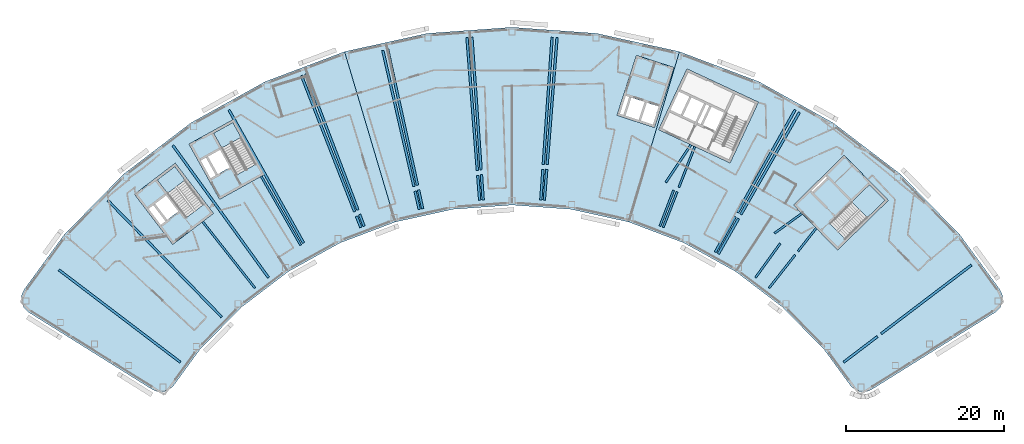
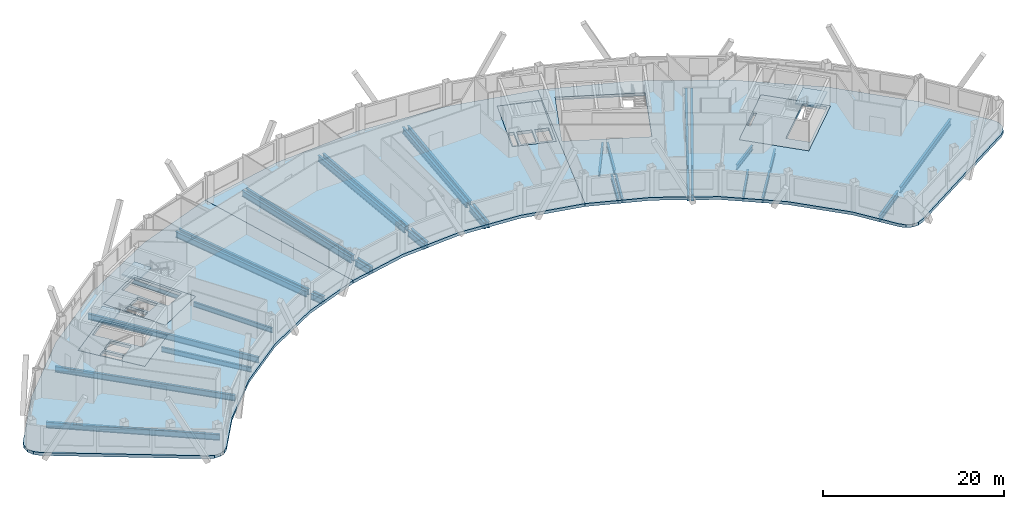
# One storey, part 3 of 13: 36 beams, 10 slabs, 3 elements without a shape of their own.
"""IFC4 building model written with IfcOpenShell, lengths in metres."""

from ifc_helpers import new_model, si_unit, direction, frame, origin, origin_2d, place, context, subcontext, project, spatial, polyline, i_section, outline, extrude, material, layer, layer_set, material_profile, profile_set, type_object, element, aggregate, save


model = new_model("IFC4")

# Units and contexts
model_context = context("Model", 3, precision=1e-05, world=origin(), true_north=direction((0.0, 1.0)))
body_context = subcontext(model_context, "Body", "Model", "MODEL_VIEW")
ifc_project = project(units=[si_unit("LENGTHUNIT", "METRE"), si_unit("AREAUNIT", "SQUARE_METRE"), si_unit("VOLUMEUNIT", "CUBIC_METRE"), si_unit("PLANEANGLEUNIT", "RADIAN"), si_unit("MASSUNIT", "GRAM", prefix="KILO")], contexts=[model_context])

# Site, building, storey
site_placement = place(None, origin())
site = spatial("IfcSite", under=ifc_project, at=site_placement, CompositionType="ELEMENT")
building_placement = place(site_placement, origin())
building = spatial("IfcBuilding", under=site, at=building_placement, Name="Tuul Gate Civic Tower", CompositionType="ELEMENT")
storey_placement = place(building_placement, frame((0.0, 0.0, 285.800048828125)))
storey = spatial("IfcBuildingStorey", under=building, at=storey_placement, Name="Level 64", CompositionType="ELEMENT", Elevation=285.800048828125)

# Beams
ifc_material_1 = material(Name="Steel S355", Category="steel")
ifc_material_profile_1 = material_profile(ifc_material_1, i_section(OverallWidth=0.25, OverallDepth=0.64990234375, WebThickness=0.011962890625, FlangeThickness=0.02001953125, at=origin_2d()), Name="PG650x250x12x20")
ifc_profile_set_1 = profile_set([ifc_material_profile_1], Name="Steel S355")
beam_type_1 = type_object("IfcBeamType", Name="STR-FLOOR BEAM-PG650x250x12x20", PredefinedType="BEAM", material=ifc_profile_set_1)
beam_1_placement = place(storey_placement, frame((39.41064453125, -23.260986328125, -0.72509765625), z_axis=(0.618879911625, 0.785485617301, 0.0), x_axis=(-0.785485617301, 0.618879911625, 0.0)))
element("IfcBeam", 1, at=beam_1_placement, inside=storey, type_object=beam_type_1, Name="Floor beam", PredefinedType="BEAM", context=body_context, shape_type="SweptSolid", body=[
    extrude(i_section(OverallWidth=0.25, OverallDepth=0.64990234375, WebThickness=0.011962890625, FlangeThickness=0.02001953125, at=origin_2d()), origin(), (0.0, 0.0, 1.0), 5.345703125),
])
beam_2_placement = place(storey_placement, frame((43.09033203125, -18.590576171875, -0.72509765625), z_axis=(0.618852652521, 0.785507093837, 0.0), x_axis=(-0.785507093837, 0.618852652521, 0.0)))
element("IfcBeam", 2, at=beam_2_placement, inside=storey, type_object=beam_type_1, Name="Floor beam", PredefinedType="BEAM", context=body_context, shape_type="SweptSolid", body=[
    extrude(i_section(OverallWidth=0.25, OverallDepth=0.64990234375, WebThickness=0.011962890625, FlangeThickness=0.02001953125, at=origin_2d()), origin(), (0.0, 0.0, 1.0), 3.731201171875),
])
beam_3_placement = place(storey_placement, frame((37.6875, -21.948974609375, -0.72509765625), z_axis=(0.586087258655, 0.810247940598, 0.0), x_axis=(-0.810247940598, 0.586087258655, 0.0)))
element("IfcBeam", 3, at=beam_3_placement, inside=storey, type_object=beam_type_1, Name="Floor beam", PredefinedType="BEAM", context=body_context, shape_type="SweptSolid", body=[
    extrude(i_section(OverallWidth=0.25, OverallDepth=0.64990234375, WebThickness=0.011962890625, FlangeThickness=0.02001953125, at=origin_2d()), origin(), (0.0, 0.0, 1.0), 5.346435546875),
])
beam_4_placement = place(storey_placement, frame((40.097900390625, -16.3125, -0.72509765625), z_axis=(0.811235364855, 0.584719747237, 0.0), x_axis=(-0.584719747237, 0.811235364855, 0.0)))
element("IfcBeam", 4, at=beam_4_placement, inside=storey, type_object=beam_type_1, Name="Floor beam", PredefinedType="BEAM", context=body_context, shape_type="SweptSolid", body=[
    extrude(i_section(OverallWidth=0.25, OverallDepth=0.64990234375, WebThickness=0.011962890625, FlangeThickness=0.02001953125, at=origin_2d()), origin(), (0.0, 0.0, 1.0), 4.291748046875),
])
beam_5_placement = place(storey_placement, frame((25.9765625, -15.575439453125, -0.72509765625), z_axis=(0.364023149296, 0.931389900512, 0.0), x_axis=(-0.931389900512, 0.364023149296, 0.0)))
element("IfcBeam", 5, at=beam_5_placement, inside=storey, type_object=beam_type_1, Name="Floor beam", PredefinedType="BEAM", context=body_context, shape_type="SweptSolid", body=[
    extrude(i_section(OverallWidth=0.25, OverallDepth=0.64990234375, WebThickness=0.011962890625, FlangeThickness=0.02001953125, at=origin_2d()), origin(), (0.0, 0.0, 1.0), 4.869873046875),
])
beam_6_placement = place(storey_placement, frame((27.9677734375, -10.48095703125, -0.72509765625), z_axis=(0.364053427571, 0.931378066026, 0.0), x_axis=(-0.931378066026, 0.364053427571, 0.0)))
element("IfcBeam", 6, at=beam_6_placement, inside=storey, type_object=beam_type_1, Name="Floor beam", PredefinedType="BEAM", context=body_context, shape_type="SweptSolid", body=[
    extrude(i_section(OverallWidth=0.25, OverallDepth=0.64990234375, WebThickness=0.011962890625, FlangeThickness=0.02001953125, at=origin_2d()), origin(), (0.0, 0.0, 1.0), 5.56201171875),
])
beam_7_placement = place(storey_placement, frame((25.5576171875, -15.4169921875, -0.72509765625), z_axis=(0.356118332249, 0.934440866741, 0.0), x_axis=(-0.934440866741, 0.356118332249, 0.0)))
element("IfcBeam", 7, at=beam_7_placement, inside=storey, type_object=beam_type_1, Name="Floor beam", PredefinedType="BEAM", context=body_context, shape_type="SweptSolid", body=[
    extrude(i_section(OverallWidth=0.25, OverallDepth=0.64990234375, WebThickness=0.011962890625, FlangeThickness=0.02001953125, at=origin_2d()), origin(), (0.0, 0.0, 1.0), 4.86962890625),
])
beam_8_placement = place(storey_placement, frame((26.31005859375, -9.85400390625, -0.72509765625), z_axis=(0.554915762595, 0.831906543082, 0.0), x_axis=(-0.831906543082, 0.554915762595, 0.0)))
element("IfcBeam", 8, at=beam_8_placement, inside=storey, type_object=beam_type_1, Name="Floor beam", PredefinedType="BEAM", context=body_context, shape_type="SweptSolid", body=[
    extrude(i_section(OverallWidth=0.25, OverallDepth=0.64990234375, WebThickness=0.011962890625, FlangeThickness=0.02001953125, at=origin_2d()), origin(), (0.0, 0.0, 1.0), 5.74951171875),
])
beam_9_placement = place(storey_placement, frame((-20.02734375, -17.828125, -0.72509765625), z_axis=(-0.496834396781, 0.867845367664, 0.0), x_axis=(-0.867845367664, -0.496834396781, 0.0)))
element("IfcBeam", 9, at=beam_9_placement, inside=storey, type_object=beam_type_1, Name="Floor beam", PredefinedType="BEAM", context=body_context, shape_type="SweptSolid", body=[
    extrude(i_section(OverallWidth=0.25, OverallDepth=0.64990234375, WebThickness=0.011962890625, FlangeThickness=0.02001953125, at=origin_2d()), origin(), (0.0, 0.0, 1.0), 10.091796875),
])
beam_10_placement = place(storey_placement, frame((-25.834228515625, -23.26123046875, -0.72509765625), z_axis=(-0.618877332604, 0.785487649291, 0.0), x_axis=(-0.785487649291, -0.618877332604, 0.0)))
element("IfcBeam", 10, at=beam_10_placement, inside=storey, type_object=beam_type_1, Name="Floor beam", PredefinedType="BEAM", context=body_context, shape_type="SweptSolid", body=[
    extrude(i_section(OverallWidth=0.25, OverallDepth=0.64990234375, WebThickness=0.011962890625, FlangeThickness=0.02001953125, at=origin_2d()), origin(), (0.0, 0.0, 1.0), 10.727783203125),
])
ifc_material_2 = material(Name="Steel S355", Category="steel")
ifc_material_profile_2 = material_profile(ifc_material_2, i_section(OverallWidth=0.300048828125, OverallDepth=0.800048828125, WebThickness=0.013916015625, FlangeThickness=0.02490234375, at=origin_2d()), Name="PG800x300x14x25")
ifc_profile_set_2 = profile_set([ifc_material_profile_2], Name="Steel S355")
beam_type_2 = type_object("IfcBeamType", Name="STR-FLOOR BEAM-PG800x300x14x25", PredefinedType="BEAM", material=ifc_profile_set_2)
beam_11_placement = place(storey_placement, frame((48.882568359375, -32.673583984375, -0.800048828125), z_axis=(0.796179697732, 0.605060235778, 0.0), x_axis=(-0.605060235778, 0.796179697732, 0.0)))
element("IfcBeam", 11, at=beam_11_placement, inside=storey, type_object=beam_type_2, Name="Floor beam", PredefinedType="BEAM", context=body_context, shape_type="SweptSolid", body=[
    extrude(i_section(OverallWidth=0.300048828125, OverallDepth=0.800048828125, WebThickness=0.013916015625, FlangeThickness=0.02490234375, at=origin_2d()), origin(), (0.0, 0.0, 1.0), 5.37548828125),
])
beam_12_placement = place(storey_placement, frame((53.64013671875, -29.057861328125, -0.800048828125), z_axis=(0.796149113587, 0.605100478379, 0.0), x_axis=(-0.605100478379, 0.796149113587, 0.0)))
element("IfcBeam", 12, at=beam_12_placement, inside=storey, type_object=beam_type_2, Name="Floor beam", PredefinedType="BEAM", context=body_context, shape_type="SweptSolid", body=[
    extrude(i_section(OverallWidth=0.300048828125, OverallDepth=0.800048828125, WebThickness=0.013916015625, FlangeThickness=0.02490234375, at=origin_2d()), origin(), (0.0, 0.0, 1.0), 14.386474609375),
])
beam_13_placement = place(storey_placement, frame((32.97705078125, -18.92236328125, -0.800048828125), z_axis=(0.496845952805, 0.867838751832, 0.0), x_axis=(-0.867838751832, 0.496845952805, 0.0)))
element("IfcBeam", 13, at=beam_13_placement, inside=storey, type_object=beam_type_2, Name="Floor beam", PredefinedType="BEAM", context=body_context, shape_type="SweptSolid", body=[
    extrude(i_section(OverallWidth=0.300048828125, OverallDepth=0.800048828125, WebThickness=0.013916015625, FlangeThickness=0.02490234375, at=origin_2d()), origin(), (0.0, 0.0, 1.0), 5.16796875),
])
beam_14_placement = place(storey_placement, frame((35.8427734375, -13.916748046875, -0.800048828125), z_axis=(0.496837725432, 0.86784346203, 0.0), x_axis=(-0.86784346203, 0.496837725432, 0.0)))
element("IfcBeam", 14, at=beam_14_placement, inside=storey, type_object=beam_type_2, Name="Floor beam", PredefinedType="BEAM", context=body_context, shape_type="SweptSolid", body=[
    extrude(i_section(OverallWidth=0.300048828125, OverallDepth=0.800048828125, WebThickness=0.013916015625, FlangeThickness=0.02490234375, at=origin_2d()), origin(), (0.0, 0.0, 1.0), 14.933837890625),
])
beam_15_placement = place(storey_placement, frame((32.585205078125, -18.705322265625, -0.800048828125), z_axis=(0.489449044914, 0.872031898747, 0.0), x_axis=(-0.872031898747, 0.489449044914, 0.0)))
element("IfcBeam", 15, at=beam_15_placement, inside=storey, type_object=beam_type_2, Name="Floor beam", PredefinedType="BEAM", context=body_context, shape_type="SweptSolid", body=[
    extrude(i_section(OverallWidth=0.300048828125, OverallDepth=0.800048828125, WebThickness=0.013916015625, FlangeThickness=0.02490234375, at=origin_2d()), origin(), (0.0, 0.0, 1.0), 5.167724609375),
])
beam_16_placement = place(storey_placement, frame((35.408203125, -13.67578125, -0.800048828125), z_axis=(0.489447514528, 0.872032757712, 0.0), x_axis=(-0.872032757712, 0.489447514528, 0.0)))
element("IfcBeam", 16, at=beam_16_placement, inside=storey, type_object=beam_type_2, Name="Floor beam", PredefinedType="BEAM", context=body_context, shape_type="SweptSolid", body=[
    extrude(i_section(OverallWidth=0.300048828125, OverallDepth=0.800048828125, WebThickness=0.013916015625, FlangeThickness=0.02490234375, at=origin_2d()), origin(), (0.0, 0.0, 1.0), 14.932373046875),
])
beam_17_placement = place(storey_placement, frame((10.890869140625, -12.12060546875, -0.800048828125), z_axis=(0.077872261262, 0.996963344826, 0.0), x_axis=(-0.996963344826, 0.077872261262, 0.0)))
element("IfcBeam", 17, at=beam_17_placement, inside=storey, type_object=beam_type_2, Name="Floor beam", PredefinedType="BEAM", context=body_context, shape_type="SweptSolid", body=[
    extrude(i_section(OverallWidth=0.300048828125, OverallDepth=0.800048828125, WebThickness=0.013916015625, FlangeThickness=0.02490234375, at=origin_2d()), origin(), (0.0, 0.0, 1.0), 3.937744140625),
])
beam_18_placement = place(storey_placement, frame((11.244140625, -7.5966796875, -0.800048828125), z_axis=(0.07783652761, 0.996966135317, 0.0), x_axis=(-0.996966135317, 0.07783652761, 0.0)))
element("IfcBeam", 18, at=beam_18_placement, inside=storey, type_object=beam_type_2, Name="Floor beam", PredefinedType="BEAM", context=body_context, shape_type="SweptSolid", body=[
    extrude(i_section(OverallWidth=0.300048828125, OverallDepth=0.800048828125, WebThickness=0.013916015625, FlangeThickness=0.02490234375, at=origin_2d()), origin(), (0.0, 0.0, 1.0), 16.162841796875),
])
beam_19_placement = place(storey_placement, frame((10.444091796875, -12.08837890625, -0.800048828125), z_axis=(0.069379044849, 0.997590370912, 0.0), x_axis=(-0.997590370912, 0.069379044849, 0.0)))
element("IfcBeam", 19, at=beam_19_placement, inside=storey, type_object=beam_type_2, Name="Floor beam", PredefinedType="BEAM", context=body_context, shape_type="SweptSolid", body=[
    extrude(i_section(OverallWidth=0.300048828125, OverallDepth=0.800048828125, WebThickness=0.013916015625, FlangeThickness=0.02490234375, at=origin_2d()), origin(), (0.0, 0.0, 1.0), 3.891845703125),
])
beam_20_placement = place(storey_placement, frame((10.756103515625, -7.60107421875, -0.800048828125), z_axis=(0.069375073098, 0.997590647126, 0.0), x_axis=(-0.997590647126, 0.069375073098, 0.0)))
element("IfcBeam", 20, at=beam_20_placement, inside=storey, type_object=beam_type_2, Name="Floor beam", PredefinedType="BEAM", context=body_context, shape_type="SweptSolid", body=[
    extrude(i_section(OverallWidth=0.300048828125, OverallDepth=0.800048828125, WebThickness=0.013916015625, FlangeThickness=0.02490234375, at=origin_2d()), origin(), (0.0, 0.0, 1.0), 16.2021484375),
])
beam_21_placement = place(storey_placement, frame((3.132080078125, -12.08837890625, -0.800048828125), z_axis=(-0.069376619278, 0.997590539599, 0.0), x_axis=(-0.997590539599, -0.069376619278, 0.0)))
element("IfcBeam", 21, at=beam_21_placement, inside=storey, type_object=beam_type_2, Name="Floor beam", PredefinedType="BEAM", context=body_context, shape_type="SweptSolid", body=[
    extrude(i_section(OverallWidth=0.300048828125, OverallDepth=0.800048828125, WebThickness=0.013916015625, FlangeThickness=0.02490234375, at=origin_2d()), origin(), (0.0, 0.0, 1.0), 3.237548828125),
])
beam_22_placement = place(storey_placement, frame((2.865478515625, -8.253662109375, -0.800048828125), z_axis=(-0.069376695548, 0.997590534295, 0.0), x_axis=(-0.997590534295, -0.069376695548, 0.0)))
element("IfcBeam", 22, at=beam_22_placement, inside=storey, type_object=beam_type_2, Name="Floor beam", PredefinedType="BEAM", context=body_context, shape_type="SweptSolid", body=[
    extrude(i_section(OverallWidth=0.300048828125, OverallDepth=0.800048828125, WebThickness=0.013916015625, FlangeThickness=0.02490234375, at=origin_2d()), origin(), (0.0, 0.0, 1.0), 16.856201171875),
])
beam_23_placement = place(storey_placement, frame((2.685302734375, -12.12060546875, -0.800048828125), z_axis=(-0.077833810844, 0.996966347421, 0.0), x_axis=(-0.996966347421, -0.077833810844, 0.0)))
element("IfcBeam", 23, at=beam_23_placement, inside=storey, type_object=beam_type_2, Name="Floor beam", PredefinedType="BEAM", context=body_context, shape_type="SweptSolid", body=[
    extrude(i_section(OverallWidth=0.300048828125, OverallDepth=0.800048828125, WebThickness=0.013916015625, FlangeThickness=0.02490234375, at=origin_2d()), origin(), (0.0, 0.0, 1.0), 3.16796875),
])
beam_24_placement = place(storey_placement, frame((2.3916015625, -8.358154296875, -0.800048828125), z_axis=(-0.077843539268, 0.996965587869, 0.0), x_axis=(-0.996965587869, -0.077843539268, 0.0)))
element("IfcBeam", 24, at=beam_24_placement, inside=storey, type_object=beam_type_2, Name="Floor beam", PredefinedType="BEAM", context=body_context, shape_type="SweptSolid", body=[
    extrude(i_section(OverallWidth=0.300048828125, OverallDepth=0.800048828125, WebThickness=0.013916015625, FlangeThickness=0.02490234375, at=origin_2d()), origin(), (0.0, 0.0, 1.0), 16.926513671875),
])
beam_25_placement = place(storey_placement, frame((-4.54736328125, -13.1953125, -0.800048828125), z_axis=(-0.215090367982, 0.976594149891, 0.0), x_axis=(-0.976594149891, -0.215090367982, 0.0)))
element("IfcBeam", 25, at=beam_25_placement, inside=storey, type_object=beam_type_2, Name="Floor beam", PredefinedType="BEAM", context=body_context, shape_type="SweptSolid", body=[
    extrude(i_section(OverallWidth=0.300048828125, OverallDepth=0.800048828125, WebThickness=0.013916015625, FlangeThickness=0.02490234375, at=origin_2d()), origin(), (0.0, 0.0, 1.0), 2.44482421875),
])
beam_26_placement = place(storey_placement, frame((-5.20361328125, -10.21533203125, -0.800048828125), z_axis=(-0.215081602047, 0.976596080507, 0.0), x_axis=(-0.976596080507, -0.215081602047, 0.0)))
element("IfcBeam", 26, at=beam_26_placement, inside=storey, type_object=beam_type_2, Name="Floor beam", PredefinedType="BEAM", context=body_context, shape_type="SweptSolid", body=[
    extrude(i_section(OverallWidth=0.300048828125, OverallDepth=0.800048828125, WebThickness=0.013916015625, FlangeThickness=0.02490234375, at=origin_2d()), origin(), (0.0, 0.0, 1.0), 17.648681640625),
])
beam_27_placement = place(storey_placement, frame((-4.98486328125, -13.291748046875, -0.800048828125), z_axis=(-0.22329889822, 0.974750020289, 0.0), x_axis=(-0.974750020289, -0.22329889822, 0.0)))
element("IfcBeam", 27, at=beam_27_placement, inside=storey, type_object=beam_type_2, Name="Floor beam", PredefinedType="BEAM", context=body_context, shape_type="SweptSolid", body=[
    extrude(i_section(OverallWidth=0.300048828125, OverallDepth=0.800048828125, WebThickness=0.013916015625, FlangeThickness=0.02490234375, at=origin_2d()), origin(), (0.0, 0.0, 1.0), 2.376953125),
])
beam_28_placement = place(storey_placement, frame((-5.65087890625, -10.384521484375, -0.800048828125), z_axis=(-0.223372883438, 0.97473306856, 0.0), x_axis=(-0.97473306856, -0.223372883438, 0.0)))
element("IfcBeam", 28, at=beam_28_placement, inside=storey, type_object=beam_type_2, Name="Floor beam", PredefinedType="BEAM", context=body_context, shape_type="SweptSolid", body=[
    extrude(i_section(OverallWidth=0.300048828125, OverallDepth=0.800048828125, WebThickness=0.013916015625, FlangeThickness=0.02490234375, at=origin_2d()), origin(), (0.0, 0.0, 1.0), 17.71826171875),
])
beam_29_placement = place(storey_placement, frame((-11.981201171875, -15.4169921875, -0.800048828125), z_axis=(-0.35624898424, 0.934391064399, 0.0), x_axis=(-0.934391064399, -0.35624898424, 0.0)))
element("IfcBeam", 29, at=beam_29_placement, inside=storey, type_object=beam_type_2, Name="Floor beam", PredefinedType="BEAM", context=body_context, shape_type="SweptSolid", body=[
    extrude(i_section(OverallWidth=0.300048828125, OverallDepth=0.800048828125, WebThickness=0.013916015625, FlangeThickness=0.02490234375, at=origin_2d()), origin(), (0.0, 0.0, 1.0), 1.600830078125),
])
beam_30_placement = place(storey_placement, frame((-12.767333984375, -13.354736328125, -0.800048828125), z_axis=(-0.356119944676, 0.934440252239, 0.0), x_axis=(-0.934440252239, -0.356119944676, 0.0)))
element("IfcBeam", 30, at=beam_30_placement, inside=storey, type_object=beam_type_2, Name="Floor beam", PredefinedType="BEAM", context=body_context, shape_type="SweptSolid", body=[
    extrude(i_section(OverallWidth=0.300048828125, OverallDepth=0.800048828125, WebThickness=0.013916015625, FlangeThickness=0.02490234375, at=origin_2d()), origin(), (0.0, 0.0, 1.0), 18.492919921875),
])
beam_31_placement = place(storey_placement, frame((-12.400146484375, -15.575439453125, -0.800048828125), z_axis=(-0.364135301401, 0.931346059354, 0.0), x_axis=(-0.931346059354, -0.364135301401, 0.0)))
element("IfcBeam", 31, at=beam_31_placement, inside=storey, type_object=beam_type_2, Name="Floor beam", PredefinedType="BEAM", context=body_context, shape_type="SweptSolid", body=[
    extrude(i_section(OverallWidth=0.300048828125, OverallDepth=0.800048828125, WebThickness=0.013916015625, FlangeThickness=0.02490234375, at=origin_2d()), origin(), (0.0, 0.0, 1.0), 1.533935546875),
])
beam_32_placement = place(storey_placement, frame((-13.178955078125, -13.5830078125, -0.800048828125), z_axis=(-0.364052179568, 0.931378553839, 0.0), x_axis=(-0.931378553839, -0.364052179568, 0.0)))
element("IfcBeam", 32, at=beam_32_placement, inside=storey, type_object=beam_type_2, Name="Floor beam", PredefinedType="BEAM", context=body_context, shape_type="SweptSolid", body=[
    extrude(i_section(OverallWidth=0.300048828125, OverallDepth=0.800048828125, WebThickness=0.013916015625, FlangeThickness=0.02490234375, at=origin_2d()), origin(), (0.0, 0.0, 1.0), 18.56201171875),
])
beam_33_placement = place(storey_placement, frame((-19.658935546875, -17.54736328125, -0.800048828125), z_axis=(-0.489450865265, 0.872030877029, 0.0), x_axis=(-0.872030877029, -0.489450865265, 0.0)))
element("IfcBeam", 33, at=beam_33_placement, inside=storey, type_object=beam_type_2, Name="Floor beam", PredefinedType="BEAM", context=body_context, shape_type="SweptSolid", body=[
    extrude(i_section(OverallWidth=0.300048828125, OverallDepth=0.800048828125, WebThickness=0.013916015625, FlangeThickness=0.02490234375, at=origin_2d()), origin(), (0.0, 0.0, 1.0), 19.3720703125),
])
beam_34_placement = place(storey_placement, frame((-24.111083984375, -21.94921875, -0.800048828125), z_axis=(-0.586081907619, 0.810251811205, 0.0), x_axis=(-0.810251811205, -0.586081907619, 0.0)))
element("IfcBeam", 34, at=beam_34_placement, inside=storey, type_object=beam_type_2, Name="Floor beam", PredefinedType="BEAM", context=body_context, shape_type="SweptSolid", body=[
    extrude(i_section(OverallWidth=0.300048828125, OverallDepth=0.800048828125, WebThickness=0.013916015625, FlangeThickness=0.02490234375, at=origin_2d()), origin(), (0.0, 0.0, 1.0), 20.705810546875),
])
beam_35_placement = place(storey_placement, frame((-30.04541015625, -26.950927734375, -0.800048828125), z_axis=(-0.698685211503, 0.71542922447, 0.0), x_axis=(-0.71542922447, -0.698685211503, 0.0)))
element("IfcBeam", 35, at=beam_35_placement, inside=storey, type_object=beam_type_2, Name="Floor beam", PredefinedType="BEAM", context=body_context, shape_type="SweptSolid", body=[
    extrude(i_section(OverallWidth=0.300048828125, OverallDepth=0.800048828125, WebThickness=0.013916015625, FlangeThickness=0.02490234375, at=origin_2d()), origin(), (0.0, 0.0, 1.0), 20.70458984375),
])
beam_36_placement = place(storey_placement, frame((-35.306640625, -32.673583984375, -0.800048828125), z_axis=(-0.796150534346, 0.605098609039, 0.0), x_axis=(-0.605098609039, -0.796150534346, 0.0)))
element("IfcBeam", 36, at=beam_36_placement, inside=storey, type_object=beam_type_2, Name="Floor beam", PredefinedType="BEAM", context=body_context, shape_type="SweptSolid", body=[
    extrude(i_section(OverallWidth=0.300048828125, OverallDepth=0.800048828125, WebThickness=0.013916015625, FlangeThickness=0.02490234375, at=origin_2d()), origin(), (0.0, 0.0, 1.0), 19.367431640625),
])

# Slabs
ifc_material_3 = material(Name="Concrete C40/50", Category="concrete")
ifc_layer_1 = layer(ifc_material_3, 0.39990234375)
ifc_layer_set_1 = layer_set([ifc_layer_1], Name="Concrete C40/50")
slab_type_1 = type_object("IfcSlabType", Name="Core floor slab 400", PredefinedType="FLOOR", material=ifc_layer_set_1)
slab_1_placement = place(storey_placement, frame((0.0, 0.0, -0.400146484375)))
element("IfcSlab", 37, at=slab_1_placement, inside=storey, type_object=slab_type_1, Name="FLOOR SLAB", PredefinedType="FLOOR", context=body_context, shape_type="SweptSolid", body=[
    extrude(outline(polyline([(-31.10009765625, -13.7890625), (-35.946044921875, -7.423828125), (-41.11767578125, -11.361572265625), (-36.271484375, -17.726806640625), (-31.10009765625, -13.7890625)]), holes=[polyline([(-35.561767578125, -13.541259765625), (-37.1064453125, -11.512451171875), (-38.498779296875, -12.572509765625), (-36.9541015625, -14.6015625), (-35.561767578125, -13.541259765625)]), polyline([(-37.19287109375, -14.783203125), (-38.737548828125, -12.75439453125), (-39.45361328125, -13.299560546875), (-37.908935546875, -15.328369140625), (-37.19287109375, -14.783203125)]), polyline([(-32.33935546875, -12.65771484375), (-34.56591796875, -14.352783203125), (-38.229736328125, -9.54052734375), (-36.003173828125, -7.845458984375), (-32.33935546875, -12.65771484375)])]), origin(), (0.0, 0.0, 1.0), 0.400146484375),
])
slab_2_placement = place(storey_placement, frame((0.0, 0.0, -0.400146484375)))
element("IfcSlab", 38, at=slab_2_placement, inside=storey, type_object=slab_type_1, Name="FLOOR SLAB", PredefinedType="FLOOR", context=body_context, shape_type="SweptSolid", body=[
    extrude(outline(polyline([(-24.638916015625, -8.846923828125), (-28.51708984375, -1.849853515625), (-34.2021484375, -5.0009765625), (-30.32421875, -11.998046875), (-24.638916015625, -8.846923828125)]), holes=[polyline([(-29.0185546875, -7.958740234375), (-30.254638671875, -5.728515625), (-31.785400390625, -6.576904296875), (-30.54931640625, -8.80712890625), (-29.0185546875, -7.958740234375)]), polyline([(-30.8115234375, -8.95263671875), (-32.047607421875, -6.72216796875), (-32.8349609375, -7.158447265625), (-31.5986328125, -9.388916015625), (-30.8115234375, -8.95263671875)]), polyline([(-25.702392578125, -7.548828125), (-28.14990234375, -8.905517578125), (-31.08203125, -3.615234375), (-28.63427734375, -2.2587890625), (-25.702392578125, -7.548828125)])]), origin(), (0.0, 0.0, 1.0), 0.400146484375),
])
slab_3_placement = place(storey_placement, frame((0.0, 0.0, -0.400146484375)))
element("IfcSlab", 39, at=slab_3_placement, inside=storey, type_object=slab_type_1, Name="FLOOR SLAB", PredefinedType="FLOOR", context=body_context, shape_type="SweptSolid", body=[
    extrude(outline(polyline([(48.117919921875, -18.43310546875), (54.545166015625, -12.1328125), (48.945068359375, -6.419921875), (42.517822265625, -12.719970703125), (48.117919921875, -18.43310546875)]), holes=[polyline([(44.93896484375, -11.046875), (46.760009765625, -9.261962890625), (46.514892578125, -9.011962890625), (44.69384765625, -10.797119140625), (44.93896484375, -11.046875)]), polyline([(49.086181640625, -17.062744140625), (47.12744140625, -15.064208984375), (52.160888671875, -10.130126953125), (54.11962890625, -12.128662109375), (49.086181640625, -17.062744140625)])]), origin(), (0.0, 0.0, 1.0), 0.400146484375),
])
ifc_material_4 = material(Name="Concrete C40/50", Category="concrete")
ifc_layer_2 = layer(ifc_material_4, 0.39990234375)
ifc_layer_set_2 = layer_set([ifc_layer_2], Name="Concrete C40/50")
slab_type_2 = type_object("IfcSlabType", Name="Core floor slab 400 non-bearing", PredefinedType="FLOOR", material=ifc_layer_set_2)
slab_4_placement = place(storey_placement, frame((0.0, 0.0, -0.400146484375)))
element("IfcSlab", 40, at=slab_4_placement, inside=storey, type_object=slab_type_2, Name="FLOOR SLAB", PredefinedType="FLOOR", context=body_context, shape_type="SweptSolid", body=[
    extrude(outline(polyline([(24.864990234375, -2.888916015625), (27.337890625, 4.71923828125), (22.58251953125, 6.264404296875), (20.109619140625, -1.343994140625), (24.864990234375, -2.888916015625)]), holes=[polyline([(24.67236328125, -2.510986328125), (25.414306640625, -0.228515625), (23.892578125, 0.265869140625), (23.150634765625, -2.0166015625), (24.67236328125, -2.510986328125)]), polyline([(22.865478515625, -1.923828125), (23.607177734375, 0.358642578125), (21.94287109375, 0.8994140625), (21.201171875, -1.383056640625), (22.865478515625, -1.923828125)]), polyline([(20.869384765625, -1.43310546875), (21.65771484375, 0.9921875), (21.0869140625, 1.177490234375), (20.298583984375, -1.24755859375), (20.869384765625, -1.43310546875)])]), origin(), (0.0, 0.0, 1.0), 0.400146484375),
])

# Stair, slab
ifc_material_5 = material(Name="Concrete C40/50", Category="concrete")
stair_type = type_object("IfcStairType", Name="Exit stair", PredefinedType="HALF_TURN_STAIR", material=ifc_material_5)
stair_1_placement = place(storey_placement, origin())
stair_1 = element("IfcStair", 41, at=stair_1_placement, inside=storey, type_object=stair_type, Name="Level 64 ST-1", PredefinedType="HALF_TURN_STAIR")
ifc_material_6 = material(Name="Concrete C40/50", Category="concrete")
ifc_layer_3 = layer(ifc_material_6, 0.199951171875)
ifc_layer_set_3 = layer_set([ifc_layer_3], Name="Concrete C40/50")
slab_type_3 = type_object("IfcSlabType", Name="Exit stair landing", PredefinedType="LANDING", material=ifc_layer_set_3)
slab_5_placement = place(storey_placement, frame((0.0, 0.0, 1.89990234375)))
slab_5 = element("IfcSlab", 42, at=slab_5_placement, type_object=slab_type_3, Name="ST-1 landing 1", PredefinedType="LANDING", context=body_context, shape_type="SweptSolid", body=[
    extrude(outline(polyline([(-34.699462890625, -9.554931640625), (-36.9287109375, -11.252197265625), (-38.23193359375, -9.540283203125), (-36.0029296875, -7.843017578125), (-34.699462890625, -9.554931640625)])), origin(), (0.0, 0.0, 1.0), 0.199951171875),
])
aggregate(stair_1, [slab_5])

stair_2_placement = place(storey_placement, origin())
stair_2 = element("IfcStair", 43, at=stair_2_placement, inside=storey, type_object=stair_type, Name="Level 64 ST-2", PredefinedType="HALF_TURN_STAIR")
slab_6_placement = place(storey_placement, frame((0.0, 0.0, 1.89990234375)))
slab_6 = element("IfcSlab", 44, at=slab_6_placement, type_object=slab_type_3, Name="ST-2 landing 1", PredefinedType="LANDING", context=body_context, shape_type="SweptSolid", body=[
    extrude(outline(polyline([(-27.5908203125, -4.138427734375), (-30.041015625, -5.49658203125), (-31.084228515625, -3.61474609375), (-28.6337890625, -2.256591796875), (-27.5908203125, -4.138427734375)])), origin(), (0.0, 0.0, 1.0), 0.199951171875),
])
aggregate(stair_2, [slab_6])

stair_3_placement = place(storey_placement, origin())
stair_3 = element("IfcStair", 45, at=stair_3_placement, inside=storey, type_object=stair_type, Name="Level 64 ST-3", PredefinedType="HALF_TURN_STAIR")
slab_7_placement = place(storey_placement, frame((0.0, 0.0, 1.89990234375)))
slab_7 = element("IfcSlab", 46, at=slab_7_placement, type_object=slab_type_3, Name="ST-3 landing 1", PredefinedType="LANDING", context=body_context, shape_type="SweptSolid", body=[
    extrude(outline(polyline([(51.871337890625, -14.3349609375), (49.91015625, -12.334228515625), (52.160888671875, -10.1279296875), (54.1220703125, -12.128662109375), (51.871337890625, -14.3349609375)])), origin(), (0.0, 0.0, 1.0), 0.199951171875),
])
aggregate(stair_3, [slab_7])

# Slabs
ifc_material_7 = material(Name="Concrete C35/45", Category="concrete")
ifc_layer_4 = layer(ifc_material_7, 0.39990234375)
ifc_layer_set_4 = layer_set([ifc_layer_4], Name="Concrete C35/45")
slab_type_4 = type_object("IfcSlabType", Name="STR-FLOOR-SLAB-400", PredefinedType="FLOOR", material=ifc_layer_set_4)
slab_8_placement = place(storey_placement, frame((0.0, 0.0, -0.400146484375)))
element("IfcSlab", 47, at=slab_8_placement, inside=storey, type_object=slab_type_4, Name="Level 64/slab/W", PredefinedType="FLOOR", context=body_context, shape_type="SweptSolid", body=[
    extrude(outline(polyline([(-8.02587890625, -14.883056640625), (-14.4599609375, 6.739013671875), (-24.528076171875, 2.930908203125), (-33.943115234375, -2.287109375), (-42.507080078125, -8.80810546875), (-50.04296875, -16.4951171875), (-55.123046875, -23.451904296875), (-55.4599609375, -24.195068359375), (-55.471923828125, -25.010009765625), (-55.156982421875, -25.762939453125), (-54.568115234375, -26.326904296875), (-38.837890625, -36.156005859375), (-38.14404296875, -36.427001953125), (-37.39892578125, -36.424072265625), (-36.70703125, -36.14892578125), (-36.1630859375, -35.639892578125), (-32.833984375, -31.08203125), (-27.580078125, -25.721923828125), (-21.60888671875, -21.176025390625), (-15.0458984375, -17.5380859375), (-8.02587890625, -14.883056640625)]), holes=[polyline([(-31.10009765625, -13.7890625), (-36.27197265625, -17.72705078125), (-41.117919921875, -11.362060546875), (-35.946044921875, -7.424072265625), (-31.10009765625, -13.7890625)]), polyline([(-24.638916015625, -8.846923828125), (-30.323974609375, -11.998046875), (-34.201904296875, -5.0009765625), (-28.51708984375, -1.85009765625), (-24.638916015625, -8.846923828125)])]), origin(), (0.0, 0.0, 1.0), 0.400146484375),
])
slab_9_placement = place(storey_placement, frame((0.0, 0.0, -0.400146484375)))
element("IfcSlab", 48, at=slab_9_placement, inside=storey, type_object=slab_type_4, Name="Level 64/slab/M", PredefinedType="FLOOR", context=body_context, shape_type="SweptSolid", body=[
    extrude(outline(polyline([(21.60205078125, -14.883056640625), (28.035888671875, 6.739013671875), (17.52392578125, 9.054931640625), (6.7880859375, 9.8330078125), (-3.947998046875, 9.054931640625), (-14.4599609375, 6.739013671875), (-8.02587890625, -14.883056640625), (-0.697021484375, -13.26806640625), (6.7880859375, -12.72607421875), (14.27294921875, -13.26806640625), (21.60205078125, -14.883056640625)]), holes=[polyline([(20.110107421875, -1.343994140625), (22.58203125, 6.264892578125), (27.337890625, 4.719970703125), (24.864990234375, -2.888916015625), (20.110107421875, -1.343994140625)])]), origin(), (0.0, 0.0, 1.0), 0.400146484375),
])
slab_10_placement = place(storey_placement, frame((0.0, 0.0, -0.400146484375)))
element("IfcSlab", 49, at=slab_10_placement, inside=storey, type_object=slab_type_4, Name="Level 64/slab/E", PredefinedType="FLOOR", context=body_context, shape_type="SweptSolid", body=[
    extrude(outline(polyline([(51.719970703125, -36.427001953125), (52.4140625, -36.156005859375), (68.14404296875, -26.326904296875), (68.73388671875, -25.762939453125), (69.048095703125, -25.010009765625), (69.035888671875, -24.195068359375), (68.699951171875, -23.451904296875), (63.618896484375, -16.4951171875), (56.083984375, -8.80810546875), (47.51904296875, -2.287109375), (38.10498046875, 2.930908203125), (28.035888671875, 6.739013671875), (21.60205078125, -14.883056640625), (28.6220703125, -17.5380859375), (35.18603515625, -21.176025390625), (41.156982421875, -25.721923828125), (46.409912109375, -31.08203125), (49.739013671875, -35.639892578125), (50.282958984375, -36.14892578125), (50.97509765625, -36.424072265625), (51.719970703125, -36.427001953125)]), holes=[polyline([(48.117919921875, -18.43310546875), (42.51806640625, -12.719970703125), (48.945068359375, -6.419921875), (54.544921875, -12.133056640625), (48.117919921875, -18.43310546875)]), polyline([(25.402099609375, -3.159912109375), (28.993896484375, 4.5439453125), (38.056884765625, 0.318115234375), (34.465087890625, -7.385986328125), (25.402099609375, -3.159912109375)])]), origin(), (0.0, 0.0, 1.0), 0.400146484375),
])

save(model, "model.ifc")
